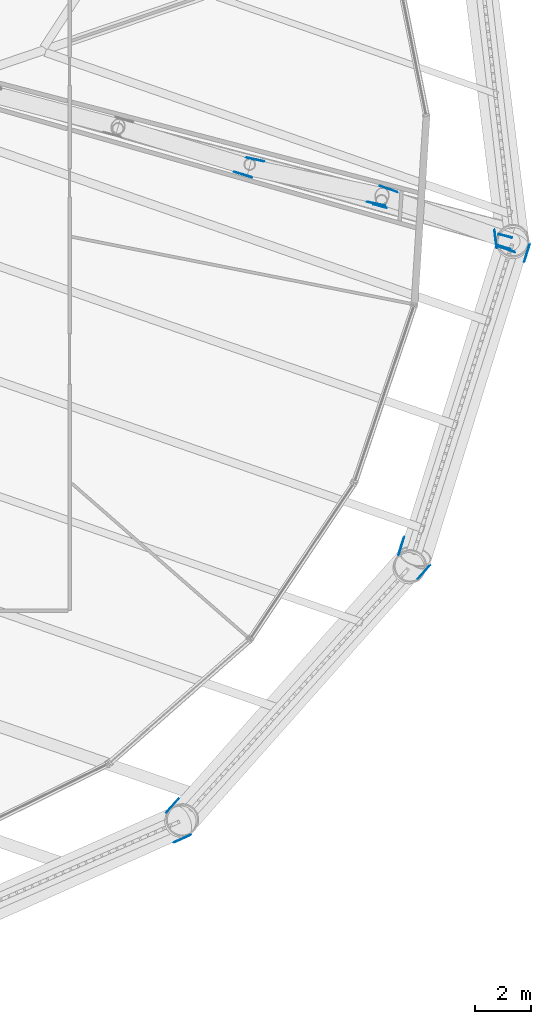
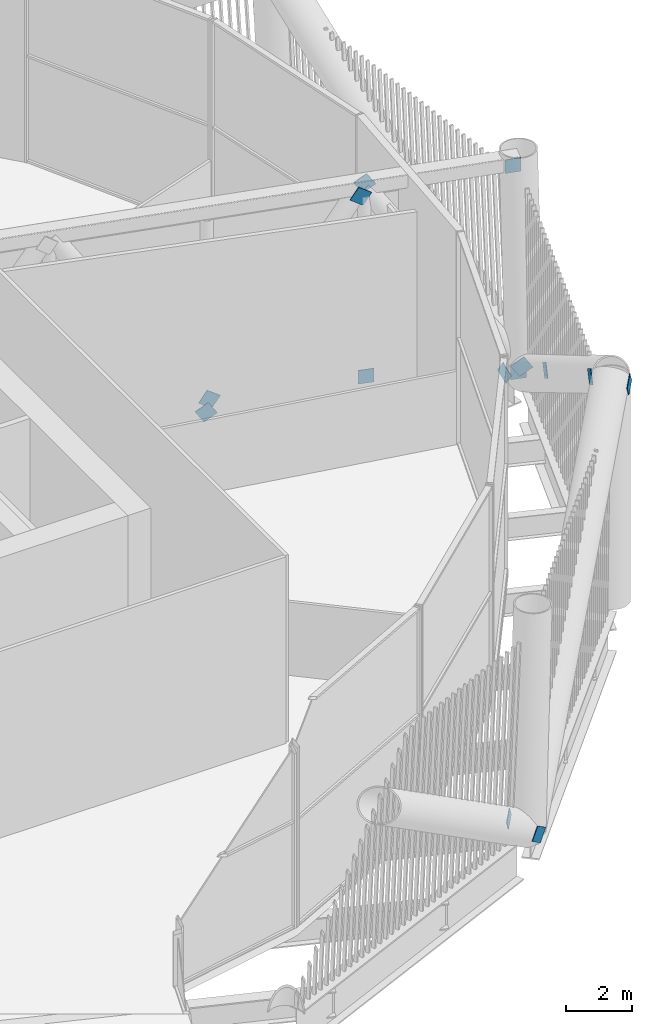
# One storey, part 47 of 63: 14 discrete accessories.
"""IFC4 building model written with IfcOpenShell, lengths in metres."""

from ifc_helpers import new_model, si_unit, direction, frame, origin, origin_2d, place, context, subcontext, project, spatial, rectangle, extrude, material, material_profile, profile_set, type_object, element, save


model = new_model("IFC4")

# Units and contexts
model_context = context("Model", 3, precision=1e-05, world=origin(), true_north=direction((0.0, 1.0)))
body_context = subcontext(model_context, "Body", "Model", "MODEL_VIEW")
ifc_project = project(units=[si_unit("LENGTHUNIT", "METRE"), si_unit("AREAUNIT", "SQUARE_METRE"), si_unit("VOLUMEUNIT", "CUBIC_METRE"), si_unit("PLANEANGLEUNIT", "RADIAN"), si_unit("MASSUNIT", "GRAM", prefix="KILO")], contexts=[model_context])

# Site, building, storey
site_placement = place(None, origin())
site = spatial("IfcSite", under=ifc_project, at=site_placement, CompositionType="ELEMENT")
building_placement = place(site_placement, origin())
building = spatial("IfcBuilding", under=site, at=building_placement, Name="Tarsis Ring Headquarters", CompositionType="ELEMENT")
storey_placement = place(building_placement, frame((0.0, 0.0, 139.60009765625)))
storey = spatial("IfcBuildingStorey", under=building, at=storey_placement, Name="L32", CompositionType="ELEMENT", Elevation=139.60009765625)

# Discrete accessories
ifc_material = material(Name="Structural steel S355", Category="steel")
ifc_material_profile = material_profile(ifc_material, rectangle(XDim=0.02490234375, YDim=0.5, at=origin_2d()), Name="PL 25x500")
ifc_profile_set = profile_set([ifc_material_profile], Name="Structural steel S355")
discrete_accessory_type_1 = type_object("IfcDiscreteAccessoryType", Name="Gusset plate Belt truss 25", PredefinedType="BRACKET", material=ifc_profile_set)
discrete_accessory_1_placement = place(storey_placement, frame((17.240966796875, -24.101318359375, 0.0), z_axis=(-0.755763430957, -0.337847735286, 0.56096394197), x_axis=(0.408107410977, -0.912933919353, 0.0)))
element("IfcDiscreteAccessory", 1, at=discrete_accessory_1_placement, inside=storey, type_object=discrete_accessory_type_1, Name="Gusset plate GP4", PredefinedType="BRACKET", context=body_context, shape_type="SweptSolid", body=[
    extrude(rectangle(XDim=0.02490234375, YDim=0.5, at=origin_2d()), origin(), (0.0, 0.0, 1.0), 0.5),
])
discrete_accessory_2_placement = place(storey_placement, frame((16.55078125, -23.16064453125, 0.0), z_axis=(0.561331488521, 0.633084296185, 0.533020856926), x_axis=(-0.748236288621, 0.663432329926, 0.0)))
element("IfcDiscreteAccessory", 2, at=discrete_accessory_2_placement, inside=storey, type_object=discrete_accessory_type_1, Name="Gusset plate GP4", PredefinedType="BRACKET", context=body_context, shape_type="SweptSolid", body=[
    extrude(rectangle(XDim=0.02490234375, YDim=0.5, at=origin_2d()), origin(), (0.0, 0.0, 1.0), 0.500244140625),
])
for number, where, z_axis, x_axis, name in (
    (3, (25.866455078125, -14.45458984375, 8.0), (-0.5615049633, -0.63279168038, -0.533185582542), (0.747982206976, -0.663718779339, 0.0), "Gusset plate GP4"),
    (4, (29.484619140625, -2.962158203125, 0.0), (-0.245144600689, -0.790615754014, 0.561097900779), (0.955138970627, -0.296157976069, 0.0), "Gusset plate GP4"),
    (5, (24.849853515625, -13.8818359375, 8.0), (0.245144600689, 0.790615754014, -0.561097900779), (-0.955138970627, 0.296157976069, 0.0), "Gusset plate GP4"),
    (6, (28.322509765625, -2.859375, 0.0), (-0.104988654286, 0.839420914969, 0.533244699911), (-0.992268993614, -0.124105778724, 0.0), "Gusset plate GP4"),
):
    element("IfcDiscreteAccessory", number, at=place(storey_placement, frame(where, z_axis=z_axis, x_axis=x_axis)), inside=storey, type_object=discrete_accessory_type_1, Name=name, PredefinedType="BRACKET", context=body_context, shape_type="SweptSolid", body=[
        extrude(rectangle(XDim=0.02490234375, YDim=0.5, at=origin_2d()), origin(), (0.0, 0.0, 1.0), 0.5),
    ])
discrete_accessory_type_2 = type_object("IfcDiscreteAccessoryType", Name="Gusset plate Outrigger 25", PredefinedType="BRACKET", material=ifc_profile_set)
for number, where, z_axis, x_axis, name in (
    (7, (19.364990234375, -0.388916015625, 0.25390625), (-0.534093232165, 0.163547744767, 0.829455577193), (-0.292795814919, -0.956174989615, 0.0), "Gusset plate GP1"),
    (8, (19.525146484375, 0.224609375, 0.25390625), (0.540580124466, -0.117198942974, 0.833089152971), (0.211879832264, 0.977295726318, 0.0), "Gusset plate GP1"),
    (9, (24.1474609375, -1.426025390625, 7.5859375), (-0.540580124466, 0.117198942974, -0.833089152971), (-0.211879832264, -0.977295726318, 0.0), "Gusset plate GP1"),
):
    element("IfcDiscreteAccessory", number, at=place(storey_placement, frame(where, z_axis=z_axis, x_axis=x_axis)), inside=storey, type_object=discrete_accessory_type_2, Name=name, PredefinedType="BRACKET", context=body_context, shape_type="SweptSolid", body=[
        extrude(rectangle(XDim=0.02490234375, YDim=0.5, at=origin_2d()), origin(), (0.0, 0.0, 1.0), 0.5),
    ])
discrete_accessory_3_placement = place(storey_placement, frame((24.31982421875, -0.816650390625, 7.5859375), z_axis=(0.530583066361, -0.186460654416, -0.826870022462), x_axis=(0.331548634105, 0.943438128985, 0.0)))
element("IfcDiscreteAccessory", 10, at=discrete_accessory_3_placement, inside=storey, type_object=discrete_accessory_type_2, Name="Gusset plate GP1", PredefinedType="BRACKET", context=body_context, shape_type="SweptSolid", body=[
    extrude(rectangle(XDim=0.02490234375, YDim=0.5, at=origin_2d()), origin(), (0.0, 0.0, 1.0), 0.500244140625),
])
discrete_accessory_4_placement = place(storey_placement, frame((28.810546875, -3.0703125, 0.25390625), z_axis=(-0.53023222709, 0.186508941757, 0.827084155331), x_axis=(-0.33182032702, -0.943342605089, 0.0)))
element("IfcDiscreteAccessory", 11, at=discrete_accessory_4_placement, inside=storey, type_object=discrete_accessory_type_2, Name="Gusset plate GP1", PredefinedType="BRACKET", context=body_context, shape_type="SweptSolid", body=[
    extrude(rectangle(XDim=0.02490234375, YDim=0.5, at=origin_2d()), origin(), (0.0, 0.0, 1.0), 0.5),
])
discrete_accessory_type_3 = type_object("IfcDiscreteAccessoryType", Name="Gusset plate Outrigger chord 25", PredefinedType="BRACKET", material=ifc_profile_set)
discrete_accessory_5_placement = place(storey_placement, frame((28.84326171875, -3.02734375, 0.25390625), z_axis=(-0.962056283503, 0.27285107178, 0.0), x_axis=(-0.27285107178, -0.962056283503, 0.0)))
element("IfcDiscreteAccessory", 12, at=discrete_accessory_5_placement, inside=storey, type_object=discrete_accessory_type_3, Name="Gusset plate GP3", PredefinedType="BRACKET", context=body_context, shape_type="SweptSolid", body=[
    extrude(rectangle(XDim=0.02490234375, YDim=0.5, at=origin_2d()), origin(), (0.0, 0.0, 1.0), 0.500244140625),
])
for number, where, z_axis, x_axis, name in (
    (13, (28.88525390625, -2.6123046875, 7.5859375), (-0.967471896193, 0.252978517026, 0.0), (-0.252978517026, -0.967471896193, 0.0), "Gusset plate GP3"),
    (14, (24.141845703125, -1.4794921875, 0.5078125), (0.0, 0.0, 1.0), (-0.273143392756, -0.961973329669, 0.0), "Gusset plate GP3"),
):
    element("IfcDiscreteAccessory", number, at=place(storey_placement, frame(where, z_axis=z_axis, x_axis=x_axis)), inside=storey, type_object=discrete_accessory_type_3, Name=name, PredefinedType="BRACKET", context=body_context, shape_type="SweptSolid", body=[
        extrude(rectangle(XDim=0.02490234375, YDim=0.5, at=origin_2d()), origin(), (0.0, 0.0, 1.0), 0.5),
    ])

save(model, "model.ifc")
